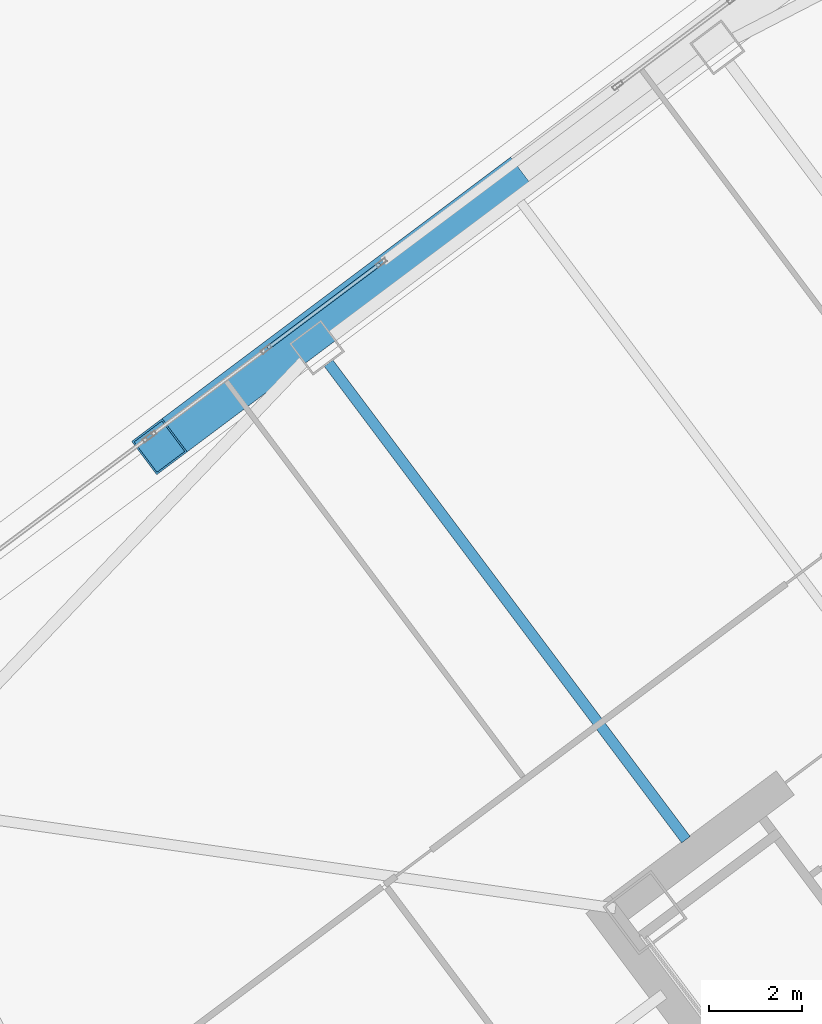
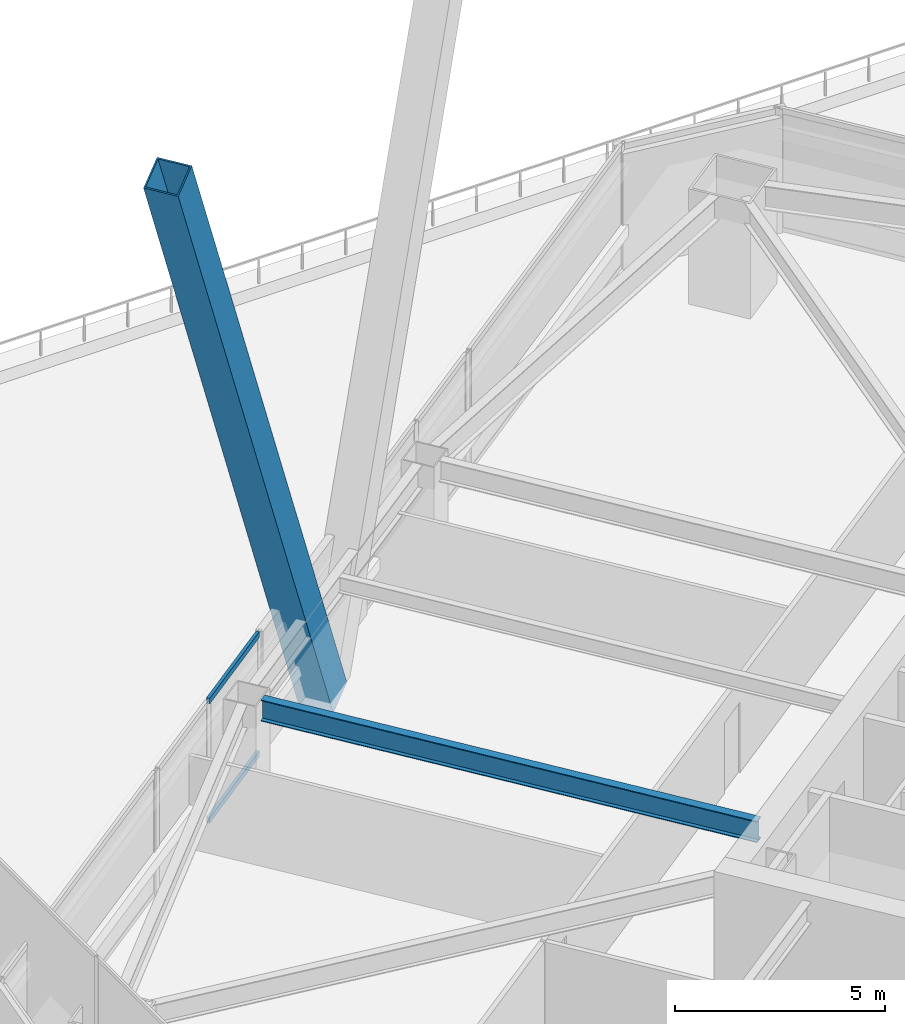
# One storey, part 50 of 83: 3 members, 1 beam, 1 element without a shape of its own.
"""IFC4 building model written with IfcOpenShell, lengths in metres."""

from ifc_helpers import new_model, si_unit, direction, frame, origin, origin_2d, place, context, subcontext, project, spatial, hollow_rectangle, i_section, extrude, material, material_profile, profile_set, type_object, element, aggregate, save


model = new_model("IFC4")

# Units and contexts
model_context = context("Model", 3, precision=1e-05, world=origin(), true_north=direction((0.0, 1.0)))
body_context = subcontext(model_context, "Body", "Model", "MODEL_VIEW")
ifc_project = project(units=[si_unit("LENGTHUNIT", "METRE"), si_unit("AREAUNIT", "SQUARE_METRE"), si_unit("VOLUMEUNIT", "CUBIC_METRE"), si_unit("PLANEANGLEUNIT", "RADIAN"), si_unit("MASSUNIT", "GRAM", prefix="KILO")], contexts=[model_context])

# Site, building, storey
site_placement = place(None, origin())
site = spatial("IfcSite", under=ifc_project, at=site_placement, CompositionType="ELEMENT")
building_placement = place(site_placement, origin())
building = spatial("IfcBuilding", under=site, at=building_placement, Name="Tashvorn Skyway Center", CompositionType="ELEMENT")
storey_placement = place(building_placement, frame((0.0, 0.0, 24.60009765625)))
storey = spatial("IfcBuildingStorey", under=building, at=storey_placement, Name="L05", CompositionType="ELEMENT", Elevation=24.60009765625)

# Beam
ifc_material_1 = material(Name="Steel ASTM A992 Grade 50", Category="steel")
ifc_material_profile_1 = material_profile(ifc_material_1, i_section(OverallWidth=0.22998046875, OverallDepth=0.616943359375, WebThickness=0.01318359375, FlangeThickness=0.022216796875, at=origin_2d()), Name="W24X94")
ifc_profile_set_1 = profile_set([ifc_material_profile_1], Name="Steel ASTM A992 Grade 50")
beam_type = type_object("IfcBeamType", Name="BM-BEAM-W24X94", PredefinedType="BEAM", material=ifc_profile_set_1)
beam_placement = place(storey_placement, frame((97.302001953125, 45.263916015625, 3.04150390625), z_axis=(0.599996960112, -0.800002279907, 0.0), x_axis=(0.800002279907, 0.599996960112, 0.0)))
element("IfcBeam", 1, at=beam_placement, inside=storey, type_object=beam_type, Name="Tower 2 L05 Primary Floor Girder FC-N2", PredefinedType="BEAM", context=body_context, shape_type="SweptSolid", body=[
    extrude(i_section(OverallWidth=0.22998046875, OverallDepth=0.616943359375, WebThickness=0.01318359375, FlangeThickness=0.022216796875, at=origin_2d()), origin(), (0.0, 0.0, 1.0), 12.85009765625),
])

# Curtain wall, members
ifc_material_2 = material(Name="Thermally broken bronze-anodized aluminium 6063-T6", Category="aluminium")
curtain_wall_type = type_object("IfcCurtainWallType", Name="CW-CW-Z1", PredefinedType="NOTDEFINED", material=ifc_material_2)
curtain_wall_placement = place(storey_placement, origin())
curtain_wall = element("IfcCurtainWall", 2, at=curtain_wall_placement, inside=storey, type_object=curtain_wall_type, Name="Tower 2 L05 North Unitised Curtain Wall Glazing Group 2", PredefinedType="NOTDEFINED")
ifc_material_profile_2 = material_profile(ifc_material_2, hollow_rectangle(XDim=0.0849609375, YDim=0.1650390625, WallThickness=0.0048828125, at=origin_2d()), Name="ALU-TRAN-85x165")
ifc_profile_set_2 = profile_set([ifc_material_profile_2], Name="Thermally broken bronze-anodized aluminium 6063-T6")
member_type_1 = type_object("IfcMemberType", Name="CWT-CW-Z1", PredefinedType="USERDEFINED", material=ifc_profile_set_2)
member_1_placement = place(storey_placement, frame((95.991455078125, 45.593505859375, 0.04248046875), z_axis=(0.799990296182, 0.600012938206, 0.0), x_axis=(-0.600012938206, 0.799990296182, 0.0)))
member_1 = element("IfcMember", 3, at=member_1_placement, type_object=member_type_1, Name="CW-Z1 transom 2.1", ObjectType="TRANSOM", PredefinedType="USERDEFINED", context=body_context, shape_type="SweptSolid", body=[
    extrude(hollow_rectangle(XDim=0.0849609375, YDim=0.1650390625, WallThickness=0.0048828125, at=origin_2d()), origin(), (0.0, 0.0, 1.0), 3.01904296875),
])
member_2_placement = place(storey_placement, frame((95.991455078125, 45.593505859375, 3.50732421875), z_axis=(0.799990296182, 0.600012938206, 0.0), x_axis=(-0.600012938206, 0.799990296182, 0.0)))
member_2 = element("IfcMember", 4, at=member_2_placement, type_object=member_type_1, Name="CW-Z1 transom 2.2", ObjectType="TRANSOM", PredefinedType="USERDEFINED", context=body_context, shape_type="SweptSolid", body=[
    extrude(hollow_rectangle(XDim=0.0849609375, YDim=0.1650390625, WallThickness=0.0048828125, at=origin_2d()), origin(), (0.0, 0.0, 1.0), 3.01904296875),
])
aggregate(curtain_wall, [member_1, member_2])

# Member
ifc_material_3 = material(Name="Steel ASTM A572 Grade 50", Category="steel")
ifc_material_profile_3 = material_profile(ifc_material_3, hollow_rectangle(XDim=0.89990234375, YDim=0.89990234375, WallThickness=0.0400390625, at=origin_2d()), Name="BOX900x900x40")
ifc_profile_set_3 = profile_set([ifc_material_profile_3], Name="Steel ASTM A572 Grade 50")
member_type_2 = type_object("IfcMemberType", Name="MEM-MB-900", PredefinedType="BRACE", material=ifc_profile_set_3)
member_3_placement = place(storey_placement, frame((101.172119140625, 49.10400390625, -0.22021484375), z_axis=(-0.325940206158, -0.244449863725, 0.913239971822), x_axis=(0.599991688754, -0.800006233367, 0.0)))
element("IfcMember", 5, at=member_3_placement, inside=storey, type_object=member_type_2, Name="Tower 2 Zone 1 N Chevron Mega-Brace R1", PredefinedType="BRACE", context=body_context, shape_type="SweptSolid", body=[
    extrude(hollow_rectangle(XDim=0.89990234375, YDim=0.89990234375, WallThickness=0.0400390625, at=origin_2d()), origin(), (0.0, 0.0, 1.0), 23.07177734375),
])

save(model, "model.ifc")
